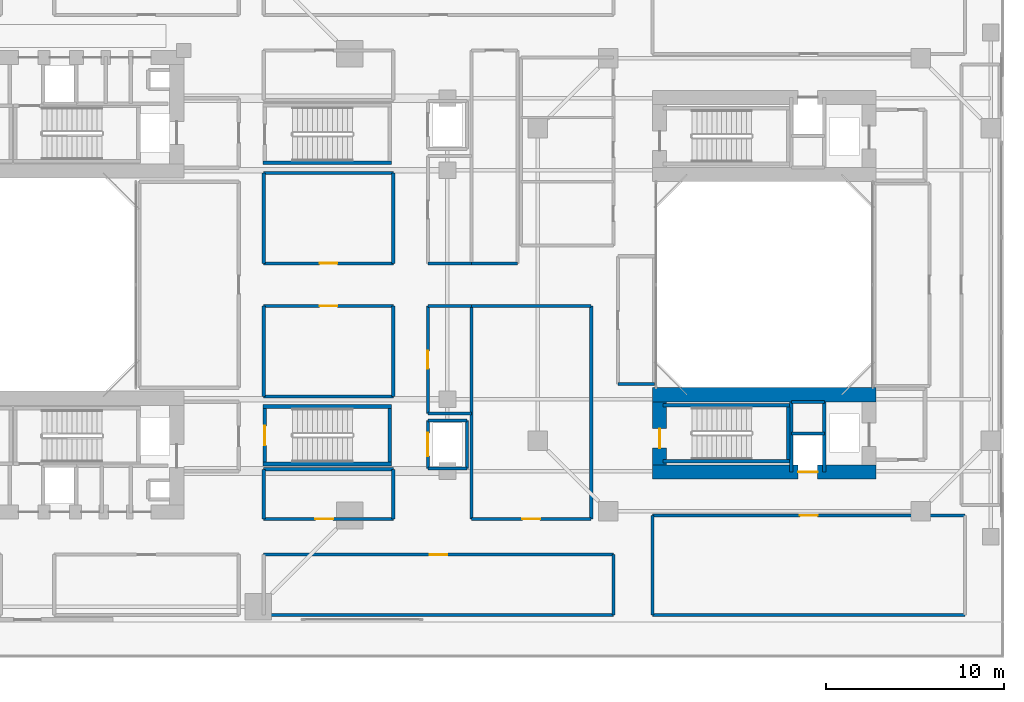
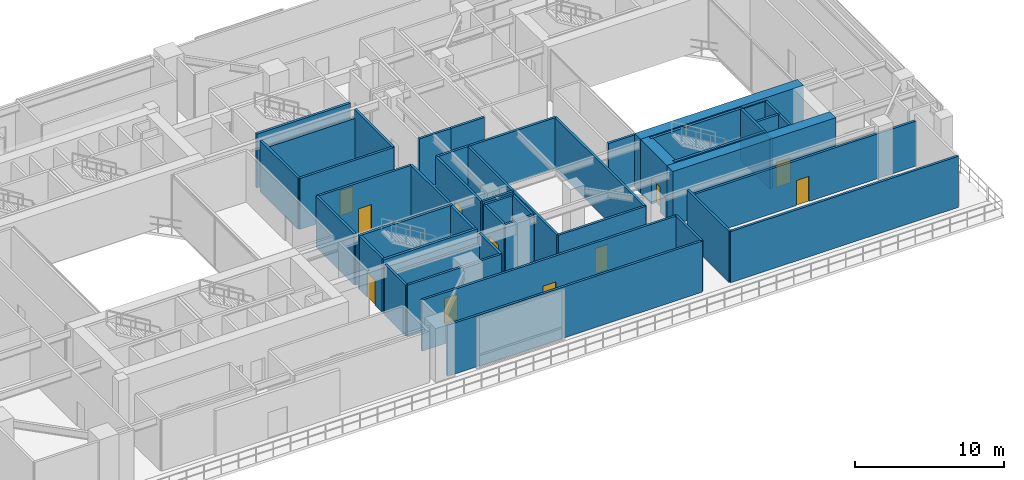
# One storey, part 12 of 19: 47 walls, 11 doors, 11 openings.
"""IFC4 building model written with IfcOpenShell, lengths in metres."""

from ifc_helpers import new_model, si_unit, direction, frame, frame_2d, origin, place, context, subcontext, project, spatial, rectangle, extrude, source, transform, mapped, material, layer, layer_set, type_object, element, fill, save


model = new_model("IFC4")

# Units and contexts
model_context = context("Model", 3, precision=1e-05, world=origin(), true_north=direction((0.0, 1.0)))
body_context = subcontext(model_context, "Body", "Model", "MODEL_VIEW")
ifc_project = project(units=[si_unit("LENGTHUNIT", "METRE"), si_unit("AREAUNIT", "SQUARE_METRE"), si_unit("VOLUMEUNIT", "CUBIC_METRE"), si_unit("PLANEANGLEUNIT", "RADIAN"), si_unit("MASSUNIT", "GRAM", prefix="KILO"), si_unit("THERMODYNAMICTEMPERATUREUNIT", "KELVIN"), si_unit("POWERUNIT", "WATT")], contexts=[model_context])

# Site, building, storey
site_placement = place(None, origin())
site = spatial("IfcSite", under=ifc_project, at=site_placement, CompositionType="ELEMENT")
building_placement = place(site_placement, origin())
building = spatial("IfcBuilding", under=site, at=building_placement, Name="Qiaomeng Ring Towers", CompositionType="ELEMENT")
storey_placement = place(building_placement, frame((0.0, 0.0, 9.39990234375)))
storey = spatial("IfcBuildingStorey", under=building, at=storey_placement, Name="L02", CompositionType="ELEMENT", Elevation=9.39990234375)

# Wall, opening, door
ifc_material_1 = material(Name="Autoclaved aerated concrete block", Category="concrete")
ifc_layer_1 = layer(ifc_material_1, 0.179931640625, Name="Autoclaved aerated concrete block")
ifc_layer_set_1 = layer_set([ifc_layer_1], Name="Autoclaved aerated concrete block")
wall_type_1 = type_object("IfcWallType", Name="ARC-WL-PW2", PredefinedType="PARTITIONING", material=ifc_layer_set_1)
wall_1_placement = place(storey_placement, frame((32.300048828125, 24.199951171875, 0.0), z_axis=(0.0, 0.0, 1.0), x_axis=(1.0, 0.0, 0.0)))
wall_1 = element("IfcWall", 1, at=wall_1_placement, inside=storey, type_object=wall_type_1, Name="L02 Interior Wall PW2", PredefinedType="PARTITIONING", context=body_context, shape_type="SweptSolid", body=[
    extrude(rectangle(XDim=7.300048828125, YDim=0.179931640625, at=frame_2d((3.64990234375, 0.0))), origin(), (0.0, 0.0, 1.0), 4.18017578125),
])
opening_1_placement = place(wall_1_placement, frame((3.14990234375, 0.0, 0.0)))
opening_1 = element("IfcOpeningElement", 2, at=opening_1_placement, cuts=wall_1, Name="Opening FD4", PredefinedType="OPENING", context=body_context, shape_type="SweptSolid", body=[
    extrude(rectangle(XDim=1.0, YDim=2.050048828125, at=frame_2d((0.5, 1.02490234375))), frame((0.0, 0.099853515625, 0.0), z_axis=(0.0, -1.0, 0.0), x_axis=(1.0, 0.0, 0.0)), (0.0, 0.0, 1.0), 0.199951171875),
])
ifc_material_2 = material(Name="Engineered fire-rated oak timber", Category="wood")
door_type_1 = type_object("IfcDoorType", Name="ARC-DR-FD4", OperationType="NOTDEFINED", PredefinedType="DOOR", material=ifc_material_2)
shared_shape_1 = source(origin(), body_context, "Body", "SweptSolid", [
    extrude(rectangle(XDim=1.0, YDim=2.050048828125, at=frame_2d((0.5, 1.02490234375))), frame((0.0, 0.02490234375, 0.0), z_axis=(0.0, -1.0, 0.0), x_axis=(1.0, 0.0, 0.0)), (0.0, 0.0, 1.0), 0.050048828125),
])
door_1_placement = place(opening_1_placement, origin())
door_1 = element("IfcDoor", 3, at=door_1_placement, inside=storey, type_object=door_type_1, Name="L02 L02 Ultrasound Diagnostic Suite Door", OperationType="SINGLE_SWING_RIGHT", OverallHeight=2.050048828125, OverallWidth=1.0, PredefinedType="DOOR", context=body_context, shape_type="MappedRepresentation", body=[
    mapped(shared_shape_1, transform((0.0, 0.0, 0.0), x_axis=(1.0, 0.0, 0.0), y_axis=(0.0, 1.0, 0.0), z_axis=(0.0, 0.0, 1.0), scale=1.0)),
])
fill(opening_1, door_1)

# Walls
wall_2_placement = place(storey_placement, frame((32.300048828125, 29.300048828125, 0.0), z_axis=(0.0, 0.0, 1.0), x_axis=(1.0, 0.0, 0.0)))
element("IfcWall", 4, at=wall_2_placement, inside=storey, type_object=wall_type_1, Name="L02 Interior Wall PW2", PredefinedType="PARTITIONING", context=body_context, shape_type="SweptSolid", body=[
    extrude(rectangle(XDim=7.300048828125, YDim=0.179931640625, at=frame_2d((3.64990234375, 0.0))), origin(), (0.0, 0.0, 1.0), 3.47509765625),
])
for number, where, z_axis, x_axis, name in (
    (5, (32.300048828125, 24.199951171875, 0.0), (0.0, 0.0, 1.0), (0.0, 1.0, 0.0), "L02 Interior Wall PW2"),
    (6, (39.60009765625, 24.199951171875, 0.0), (0.0, 0.0, 1.0), (0.0, 1.0, 0.0), "L02 Interior Wall PW2"),
):
    element("IfcWall", number, at=place(storey_placement, frame(where, z_axis=z_axis, x_axis=x_axis)), inside=storey, type_object=wall_type_1, Name=name, PredefinedType="PARTITIONING", context=body_context, shape_type="SweptSolid", body=[
        extrude(rectangle(XDim=5.10009765625, YDim=0.179931640625, at=frame_2d((2.550048828125, 0.0))), origin(), (0.0, 0.0, 1.0), 4.18017578125),
    ])
wall_3_placement = place(storey_placement, frame((32.300048828125, 16.699951171875, 0.0), z_axis=(0.0, 0.0, 1.0), x_axis=(1.0, 0.0, 0.0)))
element("IfcWall", 7, at=wall_3_placement, inside=storey, type_object=wall_type_1, Name="L02 Interior Wall PW2", PredefinedType="PARTITIONING", context=body_context, shape_type="SweptSolid", body=[
    extrude(rectangle(XDim=7.300048828125, YDim=0.179931640625, at=frame_2d((3.64990234375, 0.0))), origin(), (0.0, 0.0, 1.0), 3.47509765625),
])

# Wall, opening, door
wall_4_placement = place(storey_placement, frame((32.300048828125, 21.800048828125, 0.0), z_axis=(0.0, 0.0, 1.0), x_axis=(1.0, 0.0, 0.0)))
wall_4 = element("IfcWall", 8, at=wall_4_placement, inside=storey, type_object=wall_type_1, Name="L02 Interior Wall PW2", PredefinedType="PARTITIONING", context=body_context, shape_type="SweptSolid", body=[
    extrude(rectangle(XDim=7.300048828125, YDim=0.179931640625, at=frame_2d((3.64990234375, 0.0))), origin(), (0.0, 0.0, 1.0), 4.18017578125),
])
opening_2_placement = place(wall_4_placement, frame((3.14990234375, 0.0, 0.0)))
opening_2 = element("IfcOpeningElement", 9, at=opening_2_placement, cuts=wall_4, Name="Opening FD4", PredefinedType="OPENING", context=body_context, shape_type="SweptSolid", body=[
    extrude(rectangle(XDim=1.0, YDim=2.050048828125, at=frame_2d((0.5, 1.02490234375))), frame((0.0, 0.099853515625, 0.0), z_axis=(0.0, -1.0, 0.0), x_axis=(1.0, 0.0, 0.0)), (0.0, 0.0, 1.0), 0.199951171875),
])
door_2_placement = place(opening_2_placement, origin())
door_2 = element("IfcDoor", 10, at=door_2_placement, inside=storey, type_object=door_type_1, Name="L02 L02 Clinical Pathology Laboratory Door", OperationType="SINGLE_SWING_RIGHT", OverallHeight=2.050048828125, OverallWidth=1.0, PredefinedType="DOOR", context=body_context, shape_type="MappedRepresentation", body=[
    mapped(shared_shape_1, transform((0.0, 0.0, 0.0), x_axis=(1.0, 0.0, 0.0), y_axis=(0.0, 1.0, 0.0), z_axis=(0.0, 0.0, 1.0), scale=1.0)),
])
fill(opening_2, door_2)

# Walls
for number, where, z_axis, x_axis, name in (
    (11, (32.300048828125, 16.699951171875, 0.0), (0.0, 0.0, 1.0), (0.0, 1.0, 0.0), "L02 Interior Wall PW2"),
    (12, (39.60009765625, 16.699951171875, 0.0), (0.0, 0.0, 1.0), (0.0, 1.0, 0.0), "L02 Interior Wall PW2"),
):
    element("IfcWall", number, at=place(storey_placement, frame(where, z_axis=z_axis, x_axis=x_axis)), inside=storey, type_object=wall_type_1, Name=name, PredefinedType="PARTITIONING", context=body_context, shape_type="SweptSolid", body=[
        extrude(rectangle(XDim=5.10009765625, YDim=0.179931640625, at=frame_2d((2.550048828125, 0.0))), origin(), (0.0, 0.0, 1.0), 4.18017578125),
    ])

# Wall, opening, door
wall_5_placement = place(storey_placement, frame((32.300048828125, 9.800048828125, 0.0), z_axis=(0.0, 0.0, 1.0), x_axis=(1.0, 0.0, 0.0)))
wall_5 = element("IfcWall", 13, at=wall_5_placement, inside=storey, type_object=wall_type_1, Name="L02 Interior Wall PW2", PredefinedType="PARTITIONING", context=body_context, shape_type="SweptSolid", body=[
    extrude(rectangle(XDim=7.300048828125, YDim=0.179931640625, at=frame_2d((3.64990234375, 0.0))), origin(), (0.0, 0.0, 1.0), 4.18017578125),
])
opening_3_placement = place(wall_5_placement, frame((2.9169921875, 0.0, 0.0)))
opening_3 = element("IfcOpeningElement", 14, at=opening_3_placement, cuts=wall_5, Name="Opening FD4", PredefinedType="OPENING", context=body_context, shape_type="SweptSolid", body=[
    extrude(rectangle(XDim=1.0, YDim=2.050048828125, at=frame_2d((0.5, 1.02490234375))), frame((0.0, 0.099853515625, 0.0), z_axis=(0.0, -1.0, 0.0), x_axis=(1.0, 0.0, 0.0)), (0.0, 0.0, 1.0), 0.199951171875),
])
door_3_placement = place(opening_3_placement, origin())
door_3 = element("IfcDoor", 15, at=door_3_placement, inside=storey, type_object=door_type_1, Name="L02 L02 Dermatology Treatment Room Door", OperationType="SINGLE_SWING_LEFT", OverallHeight=2.050048828125, OverallWidth=1.0, PredefinedType="DOOR", context=body_context, shape_type="MappedRepresentation", body=[
    mapped(shared_shape_1, transform((0.0, 0.0, 0.0), x_axis=(1.0, 0.0, 0.0), y_axis=(0.0, 1.0, 0.0), z_axis=(0.0, 0.0, 1.0), scale=1.0)),
])
fill(opening_3, door_3)

# Walls
wall_6_placement = place(storey_placement, frame((32.300048828125, 12.60009765625, 0.0), z_axis=(0.0, 0.0, 1.0), x_axis=(1.0, 0.0, 0.0)))
element("IfcWall", 16, at=wall_6_placement, inside=storey, type_object=wall_type_1, Name="L02 Interior Wall PW2", PredefinedType="PARTITIONING", context=body_context, shape_type="SweptSolid", body=[
    extrude(rectangle(XDim=7.300048828125, YDim=0.179931640625, at=frame_2d((3.64990234375, 0.0))), origin(), (0.0, 0.0, 1.0), 3.3251953125),
])
for number, where, z_axis, x_axis, name in (
    (17, (32.300048828125, 9.800048828125, 0.0), (0.0, 0.0, 1.0), (0.0, 1.0, 0.0), "L02 Interior Wall PW2"),
    (18, (39.60009765625, 9.800048828125, 0.0), (0.0, 0.0, 1.0), (0.0, 1.0, 0.0), "L02 Interior Wall PW2"),
):
    element("IfcWall", number, at=place(storey_placement, frame(where, z_axis=z_axis, x_axis=x_axis)), inside=storey, type_object=wall_type_1, Name=name, PredefinedType="PARTITIONING", context=body_context, shape_type="SweptSolid", body=[
        extrude(rectangle(XDim=2.800048828125, YDim=0.179931640625, at=frame_2d((1.39990234375, 0.0))), origin(), (0.0, 0.0, 1.0), 4.18017578125),
    ])

# Wall, opening, door
wall_7_placement = place(storey_placement, frame((44.0, 9.800048828125, 0.0), z_axis=(0.0, 0.0, 1.0), x_axis=(1.0, 0.0, 0.0)))
wall_7 = element("IfcWall", 19, at=wall_7_placement, inside=storey, type_object=wall_type_1, Name="L02 Interior Wall PW2", PredefinedType="PARTITIONING", context=body_context, shape_type="SweptSolid", body=[
    extrude(rectangle(XDim=6.75, YDim=0.179931640625, at=frame_2d((3.375, 0.0))), origin(), (0.0, 0.0, 1.0), 4.18017578125),
])
opening_4_placement = place(wall_7_placement, frame((2.875, 0.0, 0.0)))
opening_4 = element("IfcOpeningElement", 20, at=opening_4_placement, cuts=wall_7, Name="Opening FD4", PredefinedType="OPENING", context=body_context, shape_type="SweptSolid", body=[
    extrude(rectangle(XDim=1.0, YDim=2.050048828125, at=frame_2d((0.5, 1.02490234375))), frame((0.0, 0.099853515625, 0.0), z_axis=(0.0, -1.0, 0.0), x_axis=(1.0, 0.0, 0.0)), (0.0, 0.0, 1.0), 0.199951171875),
])
door_4_placement = place(opening_4_placement, origin())
door_4 = element("IfcDoor", 21, at=door_4_placement, inside=storey, type_object=door_type_1, Name="L02 L02 Maternal Child Health Clinic Door", OperationType="SINGLE_SWING_RIGHT", OverallHeight=2.050048828125, OverallWidth=1.0, PredefinedType="DOOR", context=body_context, shape_type="MappedRepresentation", body=[
    mapped(shared_shape_1, transform((0.0, 0.0, 0.0), x_axis=(1.0, 0.0, 0.0), y_axis=(0.0, 1.0, 0.0), z_axis=(0.0, 0.0, 1.0), scale=1.0)),
])
fill(opening_4, door_4)

# Walls
wall_8_placement = place(storey_placement, frame((44.0, 21.800048828125, 0.0), z_axis=(0.0, 0.0, 1.0), x_axis=(1.0, 0.0, 0.0)))
element("IfcWall", 22, at=wall_8_placement, inside=storey, type_object=wall_type_1, Name="L02 Interior Wall PW2", PredefinedType="PARTITIONING", context=body_context, shape_type="SweptSolid", body=[
    extrude(rectangle(XDim=6.75, YDim=0.179931640625, at=frame_2d((3.375, 0.0))), origin(), (0.0, 0.0, 1.0), 4.18017578125),
])
for number, where, z_axis, x_axis, name in (
    (23, (44.0, 9.800048828125, 0.0), (0.0, 0.0, 1.0), (0.0, 1.0, 0.0), "L02 Interior Wall PW2"),
    (24, (50.75, 9.800048828125, 0.0), (0.0, 0.0, 1.0), (0.0, 1.0, 0.0), "L02 Interior Wall PW2"),
):
    element("IfcWall", number, at=place(storey_placement, frame(where, z_axis=z_axis, x_axis=x_axis)), inside=storey, type_object=wall_type_1, Name=name, PredefinedType="PARTITIONING", context=body_context, shape_type="SweptSolid", body=[
        extrude(rectangle(XDim=12.0, YDim=0.179931640625, at=frame_2d((6.0, 0.0))), origin(), (0.0, 0.0, 1.0), 4.18017578125),
    ])
wall_9_placement = place(storey_placement, frame((44.0, 24.199951171875, 0.0), z_axis=(0.0, 0.0, 1.0), x_axis=(1.0, 0.0, 0.0)))
element("IfcWall", 25, at=wall_9_placement, inside=storey, type_object=wall_type_1, Name="L02 Interior Wall PW2", PredefinedType="PARTITIONING", context=body_context, shape_type="SweptSolid", body=[
    extrude(rectangle(XDim=2.60009765625, YDim=0.179931640625, at=frame_2d((1.300048828125, 0.0))), origin(), (0.0, 0.0, 1.0), 4.18017578125),
])
for number, where, z_axis, x_axis, name in (
    (26, (41.550048828125, 24.199951171875, 0.0), (0.0, 0.0, 1.0), (1.0, 0.0, 0.0), "L02 Interior Wall PW2"),
    (27, (41.550048828125, 15.75, 0.0), (0.0, 0.0, 1.0), (1.0, 0.0, 0.0), "L02 Interior Wall PW2"),
    (28, (41.550048828125, 21.800048828125, 0.0), (0.0, 0.0, 1.0), (1.0, 0.0, 0.0), "L02 Interior Wall PW2"),
):
    element("IfcWall", number, at=place(storey_placement, frame(where, z_axis=z_axis, x_axis=x_axis)), inside=storey, type_object=wall_type_1, Name=name, PredefinedType="PARTITIONING", context=body_context, shape_type="SweptSolid", body=[
        extrude(rectangle(XDim=2.449951171875, YDim=0.179931640625, at=frame_2d((1.22509765625, 0.0))), origin(), (0.0, 0.0, 1.0), 4.18017578125),
    ])

# Wall, opening, door
wall_10_placement = place(storey_placement, frame((41.550048828125, 15.75, 0.0), z_axis=(0.0, 0.0, 1.0), x_axis=(0.0, 1.0, 0.0)))
wall_10 = element("IfcWall", 29, at=wall_10_placement, inside=storey, type_object=wall_type_1, Name="L02 Interior Wall PW2", PredefinedType="PARTITIONING", context=body_context, shape_type="SweptSolid", body=[
    extrude(rectangle(XDim=6.050048828125, YDim=0.179931640625, at=frame_2d((3.02490234375, 0.0))), origin(), (0.0, 0.0, 1.0), 4.18017578125),
])
opening_5_placement = place(wall_10_placement, frame((2.52490234375, 0.0, 0.0)))
opening_5 = element("IfcOpeningElement", 30, at=opening_5_placement, cuts=wall_10, Name="Opening FD4", PredefinedType="OPENING", context=body_context, shape_type="SweptSolid", body=[
    extrude(rectangle(XDim=1.0, YDim=2.050048828125, at=frame_2d((0.5, 1.02490234375))), frame((0.0, 0.099853515625, 0.0), z_axis=(0.0, -1.0, 0.0), x_axis=(1.0, 0.0, 0.0)), (0.0, 0.0, 1.0), 0.199951171875),
])
door_5_placement = place(opening_5_placement, origin())
door_5 = element("IfcDoor", 31, at=door_5_placement, inside=storey, type_object=door_type_1, Name="L02 L02 Preventive Rehabilitation Suite Door", OperationType="SINGLE_SWING_LEFT", OverallHeight=2.050048828125, OverallWidth=1.0, PredefinedType="DOOR", context=body_context, shape_type="MappedRepresentation", body=[
    mapped(shared_shape_1, transform((0.0, 0.0, 0.0), x_axis=(1.0, 0.0, 0.0), y_axis=(0.0, 1.0, 0.0), z_axis=(0.0, 0.0, 1.0), scale=1.0)),
])
fill(opening_5, door_5)

# Walls
wall_11_placement = place(storey_placement, frame((52.25, 17.39990234375, 0.0), z_axis=(0.0, 0.0, 1.0), x_axis=(1.0, 0.0, 0.0)))
element("IfcWall", 32, at=wall_11_placement, inside=storey, type_object=wall_type_1, Name="L02 Interior Wall PW2", PredefinedType="PARTITIONING", context=body_context, shape_type="SweptSolid", body=[
    extrude(rectangle(XDim=2.050048828125, YDim=0.179931640625, at=frame_2d((1.02490234375, 0.0))), origin(), (0.0, 0.0, 1.0), 4.18017578125),
])
wall_12_placement = place(storey_placement, frame((32.300048828125, 4.39990234375, 0.0), z_axis=(0.0, 0.0, 1.0), x_axis=(1.0, 0.0, 0.0)))
element("IfcWall", 33, at=wall_12_placement, inside=storey, type_object=wall_type_1, Name="L02 Interior Wall PW2", PredefinedType="PARTITIONING", context=body_context, shape_type="SweptSolid", body=[
    extrude(rectangle(XDim=19.699951171875, YDim=0.179931640625, at=frame_2d((9.85009765625, 0.0))), origin(), (0.0, 0.0, 1.0), 4.18017578125),
])

# Wall, opening, door
wall_13_placement = place(storey_placement, frame((32.300048828125, 7.800048828125, 0.0), z_axis=(0.0, 0.0, 1.0), x_axis=(1.0, 0.0, 0.0)))
wall_13 = element("IfcWall", 34, at=wall_13_placement, inside=storey, type_object=wall_type_1, Name="L02 Interior Wall PW2", PredefinedType="PARTITIONING", context=body_context, shape_type="SweptSolid", body=[
    extrude(rectangle(XDim=19.699951171875, YDim=0.179931640625, at=frame_2d((9.85009765625, 0.0))), origin(), (0.0, 0.0, 1.0), 4.18017578125),
])
opening_6_placement = place(wall_13_placement, frame((9.35009765625, 0.0, 0.0)))
opening_6 = element("IfcOpeningElement", 35, at=opening_6_placement, cuts=wall_13, Name="Opening FD4", PredefinedType="OPENING", context=body_context, shape_type="SweptSolid", body=[
    extrude(rectangle(XDim=1.0, YDim=2.050048828125, at=frame_2d((0.5, 1.02490234375))), frame((0.0, 0.099853515625, 0.0), z_axis=(0.0, -1.0, 0.0), x_axis=(1.0, 0.0, 0.0)), (0.0, 0.0, 1.0), 0.199951171875),
])
door_6_placement = place(opening_6_placement, origin())
door_6 = element("IfcDoor", 36, at=door_6_placement, inside=storey, type_object=door_type_1, Name="L02 L02 Outpatient Pharmacy Suite Door", OperationType="SINGLE_SWING_LEFT", OverallHeight=2.050048828125, OverallWidth=1.0, PredefinedType="DOOR", context=body_context, shape_type="MappedRepresentation", body=[
    mapped(shared_shape_1, transform((0.0, 0.0, 0.0), x_axis=(1.0, 0.0, 0.0), y_axis=(0.0, 1.0, 0.0), z_axis=(0.0, 0.0, 1.0), scale=1.0)),
])
fill(opening_6, door_6)

# Walls
wall_14_placement = place(storey_placement, frame((52.0, 4.39990234375, 0.0), z_axis=(0.0, 0.0, 1.0), x_axis=(0.0, 1.0, 0.0)))
element("IfcWall", 37, at=wall_14_placement, inside=storey, type_object=wall_type_1, Name="L02 Interior Wall PW2", PredefinedType="PARTITIONING", context=body_context, shape_type="SweptSolid", body=[
    extrude(rectangle(XDim=3.400146484375, YDim=0.179931640625, at=frame_2d((1.7001953125, 0.0))), origin(), (0.0, 0.0, 1.0), 4.18017578125),
])
wall_15_placement = place(storey_placement, frame((54.199951171875, 4.39990234375, 0.0), z_axis=(0.0, 0.0, 1.0), x_axis=(1.0, 0.0, 0.0)))
element("IfcWall", 38, at=wall_15_placement, inside=storey, type_object=wall_type_1, Name="L02 Interior Wall PW2", PredefinedType="PARTITIONING", context=body_context, shape_type="SweptSolid", body=[
    extrude(rectangle(XDim=17.60009765625, YDim=0.179931640625, at=frame_2d((8.800048828125, 0.0))), origin(), (0.0, 0.0, 1.0), 4.18017578125),
])

# Wall, opening, door
wall_16_placement = place(storey_placement, frame((54.199951171875, 10.0, 0.0), z_axis=(0.0, 0.0, 1.0), x_axis=(1.0, 0.0, 0.0)))
wall_16 = element("IfcWall", 39, at=wall_16_placement, inside=storey, type_object=wall_type_1, Name="L02 Interior Wall PW2", PredefinedType="PARTITIONING", context=body_context, shape_type="SweptSolid", body=[
    extrude(rectangle(XDim=17.60009765625, YDim=0.179931640625, at=frame_2d((8.800048828125, 0.0))), origin(), (0.0, 0.0, 1.0), 3.675048828125),
])
opening_7_placement = place(wall_16_placement, frame((8.300048828125, 0.0, 0.0)))
opening_7 = element("IfcOpeningElement", 40, at=opening_7_placement, cuts=wall_16, Name="Opening FD4", PredefinedType="OPENING", context=body_context, shape_type="SweptSolid", body=[
    extrude(rectangle(XDim=1.0, YDim=2.050048828125, at=frame_2d((0.5, 1.02490234375))), frame((0.0, 0.099853515625, 0.0), z_axis=(0.0, -1.0, 0.0), x_axis=(1.0, 0.0, 0.0)), (0.0, 0.0, 1.0), 0.199951171875),
])
door_7_placement = place(opening_7_placement, origin())
door_7 = element("IfcDoor", 41, at=door_7_placement, inside=storey, type_object=door_type_1, Name="L02 L02 Wellness Reading Lounge Door", OperationType="SINGLE_SWING_LEFT", OverallHeight=2.050048828125, OverallWidth=1.0, PredefinedType="DOOR", context=body_context, shape_type="MappedRepresentation", body=[
    mapped(shared_shape_1, transform((0.0, 0.0, 0.0), x_axis=(1.0, 0.0, 0.0), y_axis=(0.0, 1.0, 0.0), z_axis=(0.0, 0.0, 1.0), scale=1.0)),
])
fill(opening_7, door_7)

# Walls
wall_17_placement = place(storey_placement, frame((54.199951171875, 4.39990234375, 0.0), z_axis=(0.0, 0.0, 1.0), x_axis=(0.0, 1.0, 0.0)))
element("IfcWall", 42, at=wall_17_placement, inside=storey, type_object=wall_type_1, Name="L02 Interior Wall PW2", PredefinedType="PARTITIONING", context=body_context, shape_type="SweptSolid", body=[
    extrude(rectangle(XDim=5.60009765625, YDim=0.179931640625, at=frame_2d((2.800048828125, 0.0))), origin(), (0.0, 0.0, 1.0), 4.18017578125),
])
ifc_material_3 = material(Name="Concrete C40", Category="concrete")
ifc_layer_2 = layer(ifc_material_3, 0.199951171875, Name="Concrete C40")
ifc_layer_set_2 = layer_set([ifc_layer_2], Name="Concrete C40")
wall_type_2 = type_object("IfcWallType", Name="STR-WL-STSHAFT", PredefinedType="SHEAR", material=ifc_layer_set_2)
for number, where, z_axis, x_axis, name in (
    (43, (62.02001953125, 12.449951171875, 0.0), (0.0, 0.0, 1.0), (0.0, 1.0, 0.0), "L02 Companion Lift Shaft West Wall S"),
    (44, (63.8798828125, 12.449951171875, 0.0), (0.0, 0.0, 1.0), (0.0, 1.0, 0.0), "L02 Companion Lift Shaft East Wall S"),
):
    element("IfcWall", number, at=place(storey_placement, frame(where, z_axis=z_axis, x_axis=x_axis)), inside=storey, type_object=wall_type_2, Name=name, PredefinedType="SHEAR", context=body_context, shape_type="SweptSolid", body=[
        extrude(rectangle(XDim=3.949951171875, YDim=0.179931640625, at=frame_2d((1.97509765625, 0.0))), origin(), (0.0, 0.0, 1.0), 4.18017578125),
    ])
for number, where, z_axis, x_axis, name in (
    (45, (62.02001953125, 14.6201171875, 0.0), (0.0, 0.0, 1.0), (1.0, 0.0, 0.0), "L02 Companion Lift Shaft Divider Wall S"),
    (46, (62.02001953125, 16.39990234375, 0.0), (0.0, 0.0, 1.0), (1.0, 0.0, 0.0), "L02 Companion Riser Shaft Back Wall S"),
):
    element("IfcWall", number, at=place(storey_placement, frame(where, z_axis=z_axis, x_axis=x_axis)), inside=storey, type_object=wall_type_2, Name=name, PredefinedType="SHEAR", context=body_context, shape_type="SweptSolid", body=[
        extrude(rectangle(XDim=1.85986328125, YDim=0.179931640625, at=frame_2d((0.929931640625, 0.0))), origin(), (0.0, 0.0, 1.0), 4.18017578125),
    ])

# Wall, opening, door
wall_18_placement = place(storey_placement, frame((41.550048828125, 12.64990234375, 0.0), z_axis=(0.0, 0.0, 1.0), x_axis=(0.0, 1.0, 0.0)))
wall_18 = element("IfcWall", 47, at=wall_18_placement, inside=storey, type_object=wall_type_2, Name="L02 Medical Lift LP10 West Shaft Wall", PredefinedType="SHEAR", context=body_context, shape_type="SweptSolid", body=[
    extrude(rectangle(XDim=2.7001953125, YDim=0.179931640625, at=frame_2d((1.35009765625, 0.0))), origin(), (0.0, 0.0, 1.0), 4.18017578125),
])
opening_8_placement = place(wall_18_placement, frame((0.699951171875, 0.0, 0.0)))
opening_8 = element("IfcOpeningElement", 48, at=opening_8_placement, cuts=wall_18, Name="Opening LD2", PredefinedType="OPENING", context=body_context, shape_type="SweptSolid", body=[
    extrude(rectangle(XDim=1.300048828125, YDim=2.050048828125, at=frame_2d((0.64990234375, 1.02490234375))), frame((0.0, 0.099853515625, 0.0), z_axis=(0.0, -1.0, 0.0), x_axis=(1.0, 0.0, 0.0)), (0.0, 0.0, 1.0), 0.199951171875),
])
ifc_material_4 = material(Name="Stainless steel 316", Category="steel")
door_type_2 = type_object("IfcDoorType", Name="ARC-DR-LD2", OperationType="NOTDEFINED", PredefinedType="DOOR", material=ifc_material_4)
shared_shape_2 = source(origin(), body_context, "Body", "SweptSolid", [
    extrude(rectangle(XDim=1.300048828125, YDim=2.050048828125, at=frame_2d((0.64990234375, 1.02490234375))), frame((0.0, 0.02490234375, 0.0), z_axis=(0.0, -1.0, 0.0), x_axis=(1.0, 0.0, 0.0)), (0.0, 0.0, 1.0), 0.050048828125),
])
door_8_placement = place(opening_8_placement, origin())
door_8 = element("IfcDoor", 49, at=door_8_placement, inside=storey, type_object=door_type_2, Name="L02 Medical Lift LP10 Landing Door", OperationType="SLIDING_TO_LEFT", OverallHeight=2.050048828125, OverallWidth=1.300048828125, PredefinedType="DOOR", context=body_context, shape_type="MappedRepresentation", body=[
    mapped(shared_shape_2, transform((0.0, 0.0, 0.0), x_axis=(1.0, 0.0, 0.0), y_axis=(0.0, 1.0, 0.0), z_axis=(0.0, 0.0, 1.0), scale=1.0)),
])
fill(opening_8, door_8)

# Walls
wall_19_placement = place(storey_placement, frame((43.75, 12.64990234375, 0.0), z_axis=(0.0, 0.0, 1.0), x_axis=(0.0, 1.0, 0.0)))
element("IfcWall", 50, at=wall_19_placement, inside=storey, type_object=wall_type_2, Name="L02 Medical Lift LP10 East Shaft Wall", PredefinedType="SHEAR", context=body_context, shape_type="SweptSolid", body=[
    extrude(rectangle(XDim=2.7001953125, YDim=0.179931640625, at=frame_2d((1.35009765625, 0.0))), origin(), (0.0, 0.0, 1.0), 4.18017578125),
])
for number, where, z_axis, x_axis, name in (
    (51, (41.550048828125, 12.64990234375, 0.0), (0.0, 0.0, 1.0), (1.0, 0.0, 0.0), "L02 Medical Lift LP10 South Shaft Wall"),
    (52, (41.550048828125, 15.35009765625, 0.0), (0.0, 0.0, 1.0), (1.0, 0.0, 0.0), "L02 Medical Lift LP10 North Shaft Wall"),
):
    element("IfcWall", number, at=place(storey_placement, frame(where, z_axis=z_axis, x_axis=x_axis)), inside=storey, type_object=wall_type_2, Name=name, PredefinedType="SHEAR", context=body_context, shape_type="SweptSolid", body=[
        extrude(rectangle(XDim=2.199951171875, YDim=0.179931640625, at=frame_2d((1.10009765625, 0.0))), origin(), (0.0, 0.0, 1.0), 4.18017578125),
    ])
for number, where, z_axis, x_axis, name in (
    (53, (54.800048828125, 13.06005859375, 0.0), (0.0, 0.0, 1.0), (1.0, 0.0, 0.0), "L02 Stair ST6 South Shaft Shear Wall"),
    (54, (54.800048828125, 16.199951171875, 0.0), (0.0, 0.0, 1.0), (1.0, 0.0, 0.0), "L02 Stair ST6 North Shaft Shear Wall"),
):
    element("IfcWall", number, at=place(storey_placement, frame(where, z_axis=z_axis, x_axis=x_axis)), inside=storey, type_object=wall_type_2, Name=name, PredefinedType="SHEAR", context=body_context, shape_type="SweptSolid", body=[
        extrude(rectangle(XDim=7.14990234375, YDim=0.199951171875, at=frame_2d((3.574951171875, 0.0))), origin(), (0.0, 0.0, 1.0), 4.400146484375),
    ])
wall_20_placement = place(storey_placement, frame((61.85009765625, 13.159912109375, 0.0), z_axis=(0.0, 0.0, 1.0), x_axis=(0.0, 1.0, 0.0)))
element("IfcWall", 55, at=wall_20_placement, inside=storey, type_object=wall_type_2, Name="L02 Stair ST6 East Shaft Shear Wall", PredefinedType="SHEAR", context=body_context, shape_type="SweptSolid", body=[
    extrude(rectangle(XDim=2.940185546875, YDim=0.199951171875, at=frame_2d((1.47021484375, 0.0))), origin(), (0.0, 0.0, 1.0), 4.400146484375),
])
for number, where, z_axis, x_axis, name in (
    (56, (32.25, 29.860107421875, 0.0), (0.0, 0.0, 1.0), (1.0, 0.0, 0.0), "L02 Stair ST7 South Shaft Shear Wall"),
    (57, (32.25, 12.89990234375, 0.0), (0.0, 0.0, 1.0), (1.0, 0.0, 0.0), "L02 Stair ST8 South Shaft Shear Wall"),
    (58, (32.25, 16.139892578125, 0.0), (0.0, 0.0, 1.0), (1.0, 0.0, 0.0), "L02 Stair ST8 North Shaft Shear Wall"),
):
    element("IfcWall", number, at=place(storey_placement, frame(where, z_axis=z_axis, x_axis=x_axis)), inside=storey, type_object=wall_type_2, Name=name, PredefinedType="SHEAR", context=body_context, shape_type="SweptSolid", body=[
        extrude(rectangle(XDim=7.25, YDim=0.199951171875, at=frame_2d((3.625, 0.0))), origin(), (0.0, 0.0, 1.0), 4.400146484375),
    ])

# Wall, opening, door
wall_21_placement = place(storey_placement, frame((32.35009765625, 13.0, 0.0), z_axis=(0.0, 0.0, 1.0), x_axis=(0.0, 1.0, 0.0)))
wall_21 = element("IfcWall", 59, at=wall_21_placement, inside=storey, type_object=wall_type_2, Name="L02 Stair ST8 West Shaft Shear Wall", PredefinedType="SHEAR", context=body_context, shape_type="SweptSolid", body=[
    extrude(rectangle(XDim=3.0400390625, YDim=0.199951171875, at=frame_2d((1.52001953125, 0.0))), origin(), (0.0, 0.0, 1.0), 4.400146484375),
])
opening_9_placement = place(wall_21_placement, frame((0.949951171875, 0.0, 0.0)))
opening_9 = element("IfcOpeningElement", 60, at=opening_9_placement, cuts=wall_21, Name="Opening FD3", PredefinedType="OPENING", context=body_context, shape_type="SweptSolid", body=[
    extrude(rectangle(XDim=1.10009765625, YDim=2.050048828125, at=frame_2d((0.550048828125, 1.02490234375))), frame((0.0, 0.10986328125, 0.0), z_axis=(0.0, -1.0, 0.0), x_axis=(1.0, 0.0, 0.0)), (0.0, 0.0, 1.0), 0.219970703125),
])
ifc_material_5 = material(Name="Galvanised steel", Category="steel")
door_type_3 = type_object("IfcDoorType", Name="ARC-DR-FD3", OperationType="NOTDEFINED", PredefinedType="DOOR", material=ifc_material_5)
shared_shape_3 = source(origin(), body_context, "Body", "SweptSolid", [
    extrude(rectangle(XDim=1.10009765625, YDim=2.050048828125, at=frame_2d((0.550048828125, 1.02490234375))), frame((0.0, 0.02490234375, 0.0), z_axis=(0.0, -1.0, 0.0), x_axis=(1.0, 0.0, 0.0)), (0.0, 0.0, 1.0), 0.050048828125),
])
door_9_placement = place(opening_9_placement, origin())
door_9 = element("IfcDoor", 61, at=door_9_placement, inside=storey, type_object=door_type_3, Name="L02 Podium Stair ST8 Exit Door", OperationType="SINGLE_SWING_LEFT", OverallHeight=2.050048828125, OverallWidth=1.10009765625, PredefinedType="DOOR", context=body_context, shape_type="MappedRepresentation", body=[
    mapped(shared_shape_3, transform((0.0, 0.0, 0.0), x_axis=(1.0, 0.0, 0.0), y_axis=(0.0, 1.0, 0.0), z_axis=(0.0, 0.0, 1.0), scale=1.0)),
])
fill(opening_9, door_9)

# Wall
wall_22_placement = place(storey_placement, frame((39.39990234375, 13.0, 0.0), z_axis=(0.0, 0.0, 1.0), x_axis=(0.0, 1.0, 0.0)))
element("IfcWall", 62, at=wall_22_placement, inside=storey, type_object=wall_type_2, Name="L02 Stair ST8 East Shaft Shear Wall", PredefinedType="SHEAR", context=body_context, shape_type="SweptSolid", body=[
    extrude(rectangle(XDim=3.0400390625, YDim=0.199951171875, at=frame_2d((1.52001953125, 0.0))), origin(), (0.0, 0.0, 1.0), 4.400146484375),
])

# Wall, opening, door
ifc_material_6 = material(Name="Concrete C60", Category="concrete")
ifc_layer_3 = layer(ifc_material_6, 0.800048828125, Name="Concrete C60")
ifc_layer_set_3 = layer_set([ifc_layer_3], Name="Concrete C60")
wall_type_3 = type_object("IfcWallType", Name="STR-WL-SW1", PredefinedType="SHEAR", material=ifc_layer_set_3)
wall_23_placement = place(storey_placement, frame((54.199951171875, 12.449951171875, 0.0), z_axis=(0.0, 0.0, 1.0), x_axis=(1.0, 0.0, 0.0)))
wall_23 = element("IfcWall", 63, at=wall_23_placement, inside=storey, type_object=wall_type_3, Name="L02 T2SC south core shear wall", PredefinedType="SHEAR", context=body_context, shape_type="SweptSolid", body=[
    extrude(rectangle(XDim=12.60009765625, YDim=0.800048828125, at=frame_2d((6.300048828125, 0.0))), origin(), (0.0, 0.0, 1.0), 4.400146484375),
])
opening_10_placement = place(wall_23_placement, frame((8.199951171875, 0.0, 0.0)))
opening_10 = element("IfcOpeningElement", 64, at=opening_10_placement, cuts=wall_23, Name="Opening LD1", PredefinedType="OPENING", context=body_context, shape_type="SweptSolid", body=[
    extrude(rectangle(XDim=1.10009765625, YDim=2.050048828125, at=frame_2d((0.550048828125, 1.02490234375))), frame((0.0, 0.409912109375, 0.0), z_axis=(0.0, -1.0, 0.0), x_axis=(1.0, 0.0, 0.0)), (0.0, 0.0, 1.0), 0.820068359375),
])
door_type_4 = type_object("IfcDoorType", Name="ARC-DR-LD1", OperationType="NOTDEFINED", PredefinedType="DOOR", material=ifc_material_4)
door_10_placement = place(opening_10_placement, origin())
door_10 = element("IfcDoor", 65, at=door_10_placement, inside=storey, type_object=door_type_4, Name="L02 Companion Lift LP8 Landing Door", OperationType="SLIDING_TO_RIGHT", OverallHeight=2.050048828125, OverallWidth=1.10009765625, PredefinedType="DOOR", context=body_context, shape_type="MappedRepresentation", body=[
    mapped(shared_shape_3, transform((0.0, 0.0, 0.0), x_axis=(1.0, 0.0, 0.0), y_axis=(0.0, 1.0, 0.0), z_axis=(0.0, 0.0, 1.0), scale=1.0)),
])
fill(opening_10, door_10)

# Wall
wall_24_placement = place(storey_placement, frame((54.199951171875, 16.800048828125, 0.0), z_axis=(0.0, 0.0, 1.0), x_axis=(1.0, 0.0, 0.0)))
element("IfcWall", 66, at=wall_24_placement, inside=storey, type_object=wall_type_3, Name="L02 T2SC north core shear wall", PredefinedType="SHEAR", context=body_context, shape_type="SweptSolid", body=[
    extrude(rectangle(XDim=12.60009765625, YDim=0.800048828125, at=frame_2d((6.300048828125, 0.0))), origin(), (0.0, 0.0, 1.0), 4.400146484375),
])

# Wall, opening, door
wall_25_placement = place(storey_placement, frame((54.60009765625, 12.85009765625, 0.0), z_axis=(0.0, 0.0, 1.0), x_axis=(0.0, 1.0, 0.0)))
wall_25 = element("IfcWall", 67, at=wall_25_placement, inside=storey, type_object=wall_type_3, Name="L02 T2SC west core shear wall", PredefinedType="SHEAR", context=body_context, shape_type="SweptSolid", body=[
    extrude(rectangle(XDim=3.5498046875, YDim=0.800048828125, at=frame_2d((1.77490234375, 0.0))), origin(), (0.0, 0.0, 1.0), 4.400146484375),
])
opening_11_placement = place(wall_25_placement, frame((0.949951171875, 0.0, 0.0)))
opening_11 = element("IfcOpeningElement", 68, at=opening_11_placement, cuts=wall_25, Name="Opening FD3", PredefinedType="OPENING", context=body_context, shape_type="SweptSolid", body=[
    extrude(rectangle(XDim=1.10009765625, YDim=2.050048828125, at=frame_2d((0.550048828125, 1.02490234375))), frame((0.0, 0.409912109375, 0.0), z_axis=(0.0, -1.0, 0.0), x_axis=(1.0, 0.0, 0.0)), (0.0, 0.0, 1.0), 0.820068359375),
])
door_11_placement = place(opening_11_placement, origin())
door_11 = element("IfcDoor", 69, at=door_11_placement, inside=storey, type_object=door_type_3, Name="L02 Stair ST6 Exit Door", OperationType="SINGLE_SWING_LEFT", OverallHeight=2.050048828125, OverallWidth=1.10009765625, PredefinedType="DOOR", context=body_context, shape_type="MappedRepresentation", body=[
    mapped(shared_shape_3, transform((0.0, 0.0, 0.0), x_axis=(1.0, 0.0, 0.0), y_axis=(0.0, 1.0, 0.0), z_axis=(0.0, 0.0, 1.0), scale=1.0)),
])
fill(opening_11, door_11)

save(model, "model.ifc")
